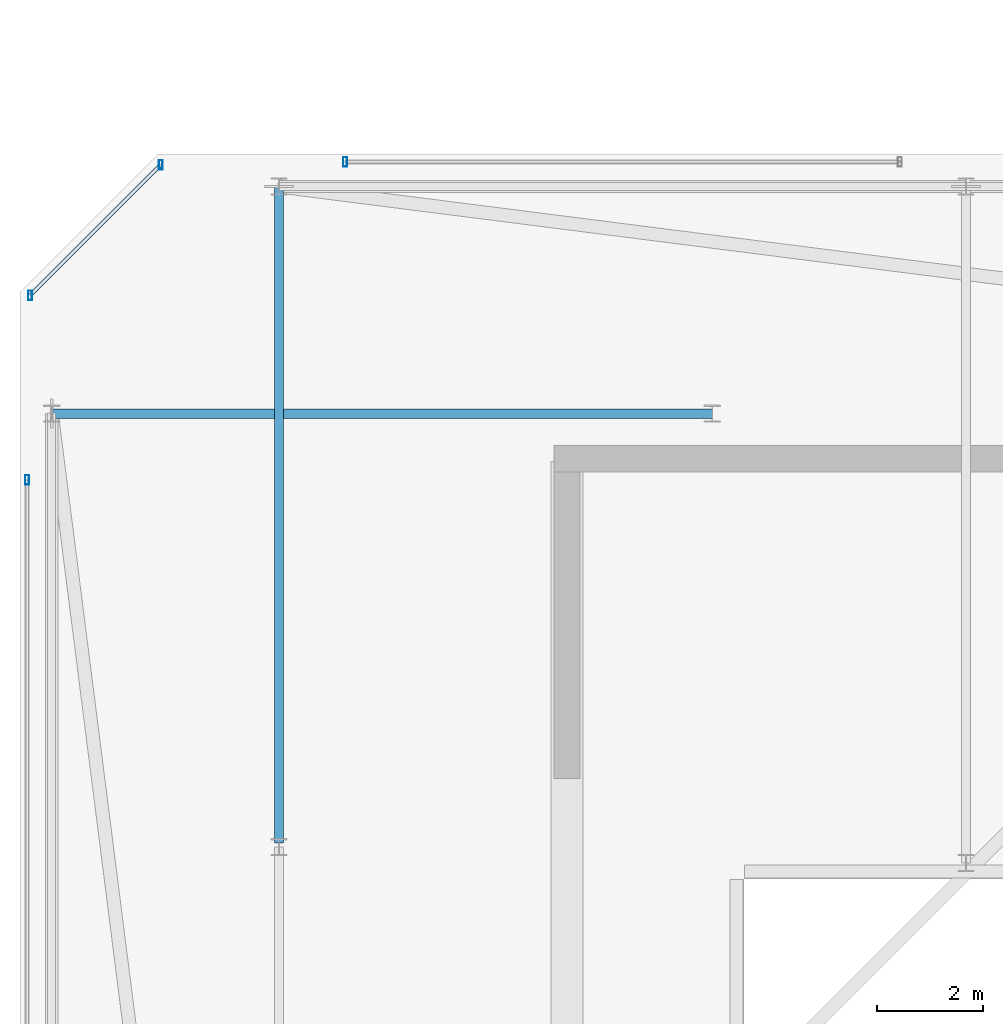
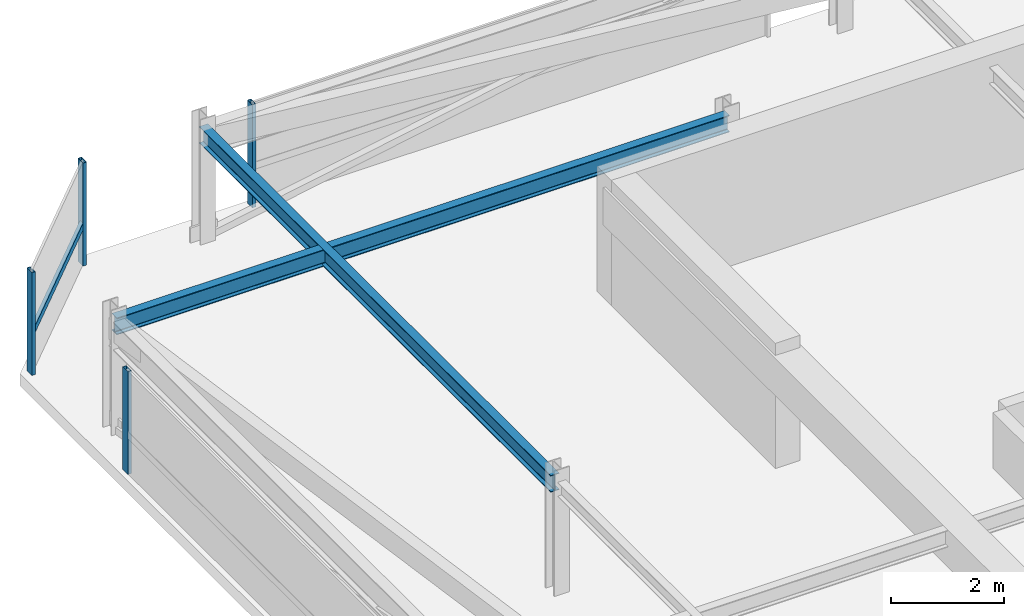
# One storey, part 24 of 44: 5 members, 2 beams, 3 elements without a shape of their own.
"""IFC4 building model written with IfcOpenShell, lengths in metres."""

import ifcopenshell
import ifcopenshell.guid

model = None  # the IFC model being written
_history = None  # IfcOwnerHistory: only IFC2X3 demands one
_inside = {}  # id of a spatial element -> (the spatial element, [elements in it])
_under = {}  # id of a project, library or spatial element -> (it, [spatial elements below it])
_declared = {}  # id of a project -> (the project, [libraries it declares])
_typed = {}  # id of a type object -> (the type object, [elements of that type])
_made_of = {}  # id of a material, layer set ... -> (it, [elements and type objects made of it])


def new_model(schema):
    """Start an empty IFC model of exactly this schema.

    Asked for "IFC4X3", IfcOpenShell would pick the latest addendum, in which some entities
    have other attributes; the version numbers below select the first issue.
    IFC2X3 requires an IfcOwnerHistory on every rooted entity: one is made here for all.
    """
    global model, _history
    if schema == "IFC4X3":
        model = ifcopenshell.file(schema_version=(4, 3, 0, 0))
    else:
        model = ifcopenshell.file(schema=schema)
    _inside.clear()
    _under.clear()
    _declared.clear()
    _typed.clear()
    _made_of.clear()
    _history = None
    if model.schema == "IFC2X3":
        org = make("IfcOrganization", Name="unknown")
        user = make(
            "IfcPersonAndOrganization",
            ThePerson=make("IfcPerson", FamilyName="unknown"),
            TheOrganization=org,
        )
        app = make(
            "IfcApplication",
            ApplicationDeveloper=org,
            Version="unknown",
            ApplicationFullName="unknown",
            ApplicationIdentifier="unknown",
        )
        _history = make(
            "IfcOwnerHistory",
            OwningUser=user,
            OwningApplication=app,
            ChangeAction="ADDED",
            CreationDate=0,
        )
    return model


def make(cls, **values):
    """One entity of the class cls with the attributes given. An attribute that is None is left unset."""
    return model.create_entity(
        cls, **{name: value for name, value in values.items() if value is not None}
    )


def rooted(cls, **values):
    """An entity with a GlobalId (a new one), such as an element, a storey or a relation."""
    return make(cls, GlobalId=ifcopenshell.guid.new(), OwnerHistory=_history, **values)


def si_unit(unit_type, name, prefix=None):
    """IfcSIUnit, for example si_unit("LENGTHUNIT", "METRE", prefix="MILLI")."""
    return make("IfcSIUnit", UnitType=unit_type, Prefix=prefix, Name=name)


def assignment(units):
    """IfcUnitAssignment: the units of a project."""
    return None if units is None else make("IfcUnitAssignment", Units=units)


def point(xyz):
    """IfcCartesianPoint."""
    return None if xyz is None else make("IfcCartesianPoint", Coordinates=xyz)


def direction(xyz):
    """IfcDirection."""
    return None if xyz is None else make("IfcDirection", DirectionRatios=xyz)


def frame(location, z_axis=None, x_axis=None):
    """IfcAxis2Placement3D, a coordinate frame: its origin and axes. An axis left out is left unset."""
    return make(
        "IfcAxis2Placement3D",
        Location=point(location),
        Axis=direction(z_axis),
        RefDirection=direction(x_axis),
    )


def frame_2d(location, x_axis=None):
    """IfcAxis2Placement2D, a coordinate frame in the plane: its origin and x axis."""
    return make(
        "IfcAxis2Placement2D", Location=point(location), RefDirection=direction(x_axis)
    )


def origin():
    """The frame at (0, 0, 0) with its axes left unset."""
    return frame((0.0, 0.0, 0.0))


def origin_2d():
    """The frame at (0, 0) in the plane with its x axis left unset."""
    return frame_2d((0.0, 0.0))


def place(relative_to, where):
    """IfcLocalPlacement: puts the frame where relative to a parent placement (None: the world)."""
    return make(
        "IfcLocalPlacement", PlacementRelTo=relative_to, RelativePlacement=where
    )


def context(
    kind, dimensions, precision=None, world=None, true_north=None, identifier=None
):
    """IfcGeometricRepresentationContext, for example the 3D "Model" context."""
    return make(
        "IfcGeometricRepresentationContext",
        ContextIdentifier=identifier,
        ContextType=kind,
        CoordinateSpaceDimension=dimensions,
        Precision=precision,
        WorldCoordinateSystem=world,
        TrueNorth=true_north,
    )


def subcontext(parent, identifier, kind, view, scale=None):
    """IfcGeometricRepresentationSubContext, for example "Body" below "Model"."""
    return make(
        "IfcGeometricRepresentationSubContext",
        ContextIdentifier=identifier,
        ContextType=kind,
        ParentContext=parent,
        TargetScale=scale,
        TargetView=view,
    )


def project(units=None, contexts=None):
    """IfcProject with its units and contexts."""
    return rooted(
        "IfcProject",
        Name="project",
        RepresentationContexts=contexts,
        UnitsInContext=assignment(units),
    )


def spatial(cls, under=None, at=None, **own):
    """A site, building, storey or space (cls), placed at a placement, below another one or the project."""
    s = rooted(cls, ObjectPlacement=at, **own)
    if under is not None:
        _under.setdefault(under.id(), (under, []))[1].append(s)
    return s


def profile(cls, at=None, kind="AREA", **sizes):
    """A parametric profile (cls). Its sizes go by their IFC names, for example OverallWidth=200.0."""
    return make(cls, ProfileType=kind, Position=at, **sizes)


def hollow_rectangle(**sizes):
    """IfcRectangleHollowProfileDef."""
    return profile("IfcRectangleHollowProfileDef", **sizes)


def i_section(**sizes):
    """IfcIShapeProfileDef."""
    return profile("IfcIShapeProfileDef", **sizes)


def extrude(swept, where, along, depth):
    """IfcExtrudedAreaSolid: the profile swept, set in the frame where, extruded along a direction by depth."""
    return make(
        "IfcExtrudedAreaSolid",
        SweptArea=swept,
        Position=where,
        ExtrudedDirection=direction(along),
        Depth=depth,
    )


def shape(context_of_items, identifier, shape_type, items):
    """IfcShapeRepresentation: the items that make up one representation, for example the "Body"."""
    return make(
        "IfcShapeRepresentation",
        ContextOfItems=context_of_items,
        RepresentationIdentifier=identifier,
        RepresentationType=shape_type,
        Items=items,
    )


def material(Name=None, Category=None):
    """IfcMaterial."""
    return make("IfcMaterial", Name=Name, Category=Category)


def material_profile(
    of_material, cross_section, Name=None, Category=None, Priority=None
):
    """IfcMaterialProfile: a cross section and its material."""
    return make(
        "IfcMaterialProfile",
        Name=Name,
        Material=of_material,
        Profile=cross_section,
        Priority=Priority,
        Category=Category,
    )


def profile_set(profiles, Name=None, composite=None):
    """IfcMaterialProfileSet."""
    return make(
        "IfcMaterialProfileSet",
        Name=Name,
        MaterialProfiles=profiles,
        CompositeProfile=composite,
    )


def made_of(thing, what):
    """Note that an element or type object is made of a material, layer set ...; save() writes the relation."""
    if what is not None:
        _made_of.setdefault(what.id(), (what, []))[1].append(thing)
    return thing


def type_object(cls, material=None, **own):
    """A type object (cls), such as IfcWallType, which elements share."""
    return made_of(rooted(cls, **own), material)


def element(
    cls,
    number,
    at=None,
    inside=None,
    cuts=None,
    type_object=None,
    material=None,
    context=None,
    identifier="Body",
    shape_type=None,
    held_by="IfcProductDefinitionShape",
    body=None,
    shapes=None,
    **own,
):
    """One element of the class cls, such as IfcWall. Its Tag is "e" and its number.

    at: its placement. inside: the storey or other place that contains it. cuts: it is an
    opening in that element (IfcRelVoidsElement). A single representation is given by context,
    identifier, shape_type and body (its items); several are given by shapes. held_by: the class
    of the entity that holds the representations. save() writes the other relations.
    """
    e = rooted(cls, Tag="e%d" % number, ObjectPlacement=at, **own)
    if body is not None:
        shapes = [shape(context, identifier, shape_type, body)]
    if shapes is not None:
        e.Representation = make(held_by, Representations=shapes)
    if inside is not None:
        _inside.setdefault(inside.id(), (inside, []))[1].append(e)
    if cuts is not None:
        rooted(
            "IfcRelVoidsElement", RelatingBuildingElement=cuts, RelatedOpeningElement=e
        )
    if type_object is not None:
        _typed.setdefault(type_object.id(), (type_object, []))[1].append(e)
    return made_of(e, material)


def aggregate(whole, parts):
    """IfcRelAggregates: a whole, such as a stair, and the parts it consists of."""
    return rooted("IfcRelAggregates", RelatingObject=whole, RelatedObjects=parts)


def save(model, path):
    """Write the relations noted so far, then the file.

    IfcRelAggregates (storeys below a building ...), IfcRelContainedInSpatialStructure (elements
    in a storey), IfcRelDefinesByType, IfcRelAssociatesMaterial and IfcRelDeclares: one each for
    every whole, place, type object, material and project.
    """
    for whole, parts in _under.values():
        aggregate(whole, parts)
    for where, things in _inside.values():
        rooted(
            "IfcRelContainedInSpatialStructure",
            RelatedElements=things,
            RelatingStructure=where,
        )
    for kind, things in _typed.values():
        rooted("IfcRelDefinesByType", RelatedObjects=things, RelatingType=kind)
    for what, things in _made_of.values():
        rooted("IfcRelAssociatesMaterial", RelatedObjects=things, RelatingMaterial=what)
    for by, libraries in _declared.values():
        rooted("IfcRelDeclares", RelatingContext=by, RelatedDefinitions=libraries)
    model.write(path)


model = new_model("IFC4")

# Units and contexts
model_context = context("Model", 3, precision=1e-05, world=origin(), true_north=direction((0.0, 1.0)))
body_context = subcontext(model_context, "Body", "Model", "MODEL_VIEW")
ifc_project = project(units=[si_unit("LENGTHUNIT", "METRE"), si_unit("AREAUNIT", "SQUARE_METRE"), si_unit("VOLUMEUNIT", "CUBIC_METRE"), si_unit("PLANEANGLEUNIT", "RADIAN"), si_unit("MASSUNIT", "GRAM", prefix="KILO")], contexts=[model_context])

# Site, building, storey
site_placement = place(None, origin())
site = spatial("IfcSite", under=ifc_project, at=site_placement, CompositionType="ELEMENT")
building_placement = place(site_placement, origin())
building = spatial("IfcBuilding", under=site, at=building_placement, Name="Thornwick Lancets Civic Towers", CompositionType="ELEMENT")
storey_placement = place(building_placement, frame((0.0, 0.0, 294.89990234375)))
storey = spatial("IfcBuildingStorey", under=building, at=storey_placement, Name="C06", CompositionType="ELEMENT", Elevation=294.89990234375)

# Beams
ifc_material_1 = material(Name="Steel S355JR", Category="steel")
ifc_material_profile_1 = material_profile(ifc_material_1, i_section(OverallWidth=0.173095703125, OverallDepth=0.36328125, WebThickness=0.009033203125, FlangeThickness=0.015625, FilletRadius=0.01025390625, at=origin_2d()), Name="UKB 356x171x67")
ifc_profile_set_1 = profile_set([ifc_material_profile_1], Name="Steel S355JR")
beam_type = type_object("IfcBeamType", Name="BM_JOIST_356_67", PredefinedType="JOIST", material=ifc_profile_set_1)
beam_1_placement = place(storey_placement, frame((12.5, 31.8798828125, 2.25830078125), z_axis=(0.0, 1.0, 0.0), x_axis=(-1.0, 0.0, 0.0)))
element("IfcBeam", 1, at=beam_1_placement, inside=storey, type_object=beam_type, Name="BM-RADIN-C06-A07", PredefinedType="JOIST", context=body_context, shape_type="SweptSolid", body=[
    extrude(i_section(OverallWidth=0.173095703125, OverallDepth=0.36328125, WebThickness=0.009033203125, FlangeThickness=0.015625, FilletRadius=0.01025390625, at=origin_2d()), origin(), (0.0, 0.0, 1.0), 12.420166015625),
])
beam_2_placement = place(storey_placement, frame((20.699951171875, 40.0, 2.25830078125), z_axis=(-1.0, 0.0, 0.0), x_axis=(0.0, -1.0, 0.0)))
element("IfcBeam", 2, at=beam_2_placement, inside=storey, type_object=beam_type, Name="BM-RADIN-C06-A12", PredefinedType="JOIST", context=body_context, shape_type="SweptSolid", body=[
    extrude(i_section(OverallWidth=0.173095703125, OverallDepth=0.36328125, WebThickness=0.009033203125, FlangeThickness=0.015625, FilletRadius=0.01025390625, at=origin_2d()), origin(), (0.0, 0.0, 1.0), 12.5),
])

# Curtain wall, member
ifc_material_2 = material(Name="Crown ring acoustic-louvre and glazing screen wall", Category="glass")
curtain_wall_type = type_object("IfcCurtainWallType", Name="CW_SYS_07", PredefinedType="NOTDEFINED", material=ifc_material_2)
curtain_wall_1_placement = place(storey_placement, origin())
curtain_wall_1 = element("IfcCurtainWall", 3, at=curtain_wall_1_placement, inside=storey, type_object=curtain_wall_type, Name="C06 Curtain Wall CW-C06-A-E4-S3", PredefinedType="NOTDEFINED")
ifc_material_3 = material(Name="Thermally broken bronze aluminium S355", Category="steel")
ifc_material_profile_2 = material_profile(ifc_material_3, hollow_rectangle(XDim=0.074951171875, YDim=0.179931640625, WallThickness=0.006103515625, at=origin_2d()), Name="RHS 180x75x6")
ifc_profile_set_2 = profile_set([ifc_material_profile_2], Name="Thermally broken bronze aluminium S355")
member_type_1 = type_object("IfcMemberType", Name="CW_MUL_180", PredefinedType="MULLION", material=ifc_profile_set_2)
member_1_placement = place(storey_placement, frame((13.75, 44.7646484375, 0.0), z_axis=(0.0, 0.0, 1.0), x_axis=(1.0, 0.0, 0.0)))
member_1 = element("IfcMember", 4, at=member_1_placement, type_object=member_type_1, Name="CW-C06-A-E4-S3 Mullion 1", PredefinedType="MULLION", context=body_context, shape_type="SweptSolid", body=[
    extrude(hollow_rectangle(XDim=0.074951171875, YDim=0.179931640625, WallThickness=0.006103515625, at=origin_2d()), origin(), (0.0, 0.0, 1.0), 2.22021484375),
])
aggregate(curtain_wall_1, [member_1])

# Curtain wall, members
curtain_wall_2_placement = place(storey_placement, origin())
curtain_wall_2 = element("IfcCurtainWall", 5, at=curtain_wall_2_placement, inside=storey, type_object=curtain_wall_type, Name="C06 Curtain Wall CW-C06-A-E5", PredefinedType="NOTDEFINED")
member_2_placement = place(storey_placement, frame((10.261962890625, 44.7080078125, 0.0), z_axis=(0.0, 0.0, 1.0), x_axis=(1.0, 0.0, 0.0)))
member_2 = element("IfcMember", 6, at=member_2_placement, type_object=member_type_1, Name="CW-C06-A-E5 Mullion 0", PredefinedType="MULLION", context=body_context, shape_type="SweptSolid", body=[
    extrude(hollow_rectangle(XDim=0.074951171875, YDim=0.179931640625, WallThickness=0.006103515625, at=origin_2d()), origin(), (0.0, 0.0, 1.0), 2.22021484375),
])
member_3_placement = place(storey_placement, frame((7.7919921875, 42.238037109375, 0.0), z_axis=(0.0, 0.0, 1.0), x_axis=(1.0, 0.0, 0.0)))
member_3 = element("IfcMember", 7, at=member_3_placement, type_object=member_type_1, Name="CW-C06-A-E5 Mullion 1", PredefinedType="MULLION", context=body_context, shape_type="SweptSolid", body=[
    extrude(hollow_rectangle(XDim=0.074951171875, YDim=0.179931640625, WallThickness=0.006103515625, at=origin_2d()), origin(), (0.0, 0.0, 1.0), 2.22021484375),
])

# Curtain wall, member
curtain_wall_3_placement = place(storey_placement, origin())
curtain_wall_3 = element("IfcCurtainWall", 8, at=curtain_wall_3_placement, inside=storey, type_object=curtain_wall_type, Name="C06 Curtain Wall CW-C06-A-E6-S1", PredefinedType="NOTDEFINED")
member_4_placement = place(storey_placement, frame((7.7353515625, 38.75, 0.0), z_axis=(0.0, 0.0, 1.0), x_axis=(1.0, 0.0, 0.0)))
member_4 = element("IfcMember", 9, at=member_4_placement, type_object=member_type_1, Name="CW-C06-A-E6-S1 Mullion 0", PredefinedType="MULLION", context=body_context, shape_type="SweptSolid", body=[
    extrude(hollow_rectangle(XDim=0.074951171875, YDim=0.179931640625, WallThickness=0.006103515625, at=origin_2d()), origin(), (0.0, 0.0, 1.0), 2.22021484375),
])
aggregate(curtain_wall_3, [member_4])

# Member
ifc_material_profile_3 = material_profile(ifc_material_3, hollow_rectangle(XDim=0.074951171875, YDim=0.14990234375, WallThickness=0.0048828125, at=origin_2d()), Name="RHS 150x75x5")
ifc_profile_set_3 = profile_set([ifc_material_profile_3], Name="Thermally broken bronze aluminium S355")
member_type_2 = type_object("IfcMemberType", Name="CW_TRN_150", PredefinedType="USERDEFINED", material=ifc_profile_set_3)
member_5_placement = place(storey_placement, frame((10.247802734375, 44.69384765625, 0.85009765625), z_axis=(-0.707106781187, -0.707106781187, 0.0), x_axis=(0.707106781187, -0.707106781187, 0.0)))
member_5 = element("IfcMember", 10, at=member_5_placement, type_object=member_type_2, Name="CW-C06-A-E5 Transom 0", ObjectType="TRANSOM", PredefinedType="USERDEFINED", context=body_context, shape_type="SweptSolid", body=[
    extrude(hollow_rectangle(XDim=0.074951171875, YDim=0.14990234375, WallThickness=0.0048828125, at=origin_2d()), origin(), (0.0, 0.0, 1.0), 3.453125),
])

aggregate(curtain_wall_2, [member_2, member_3, member_5])

save(model, "model.ifc")
